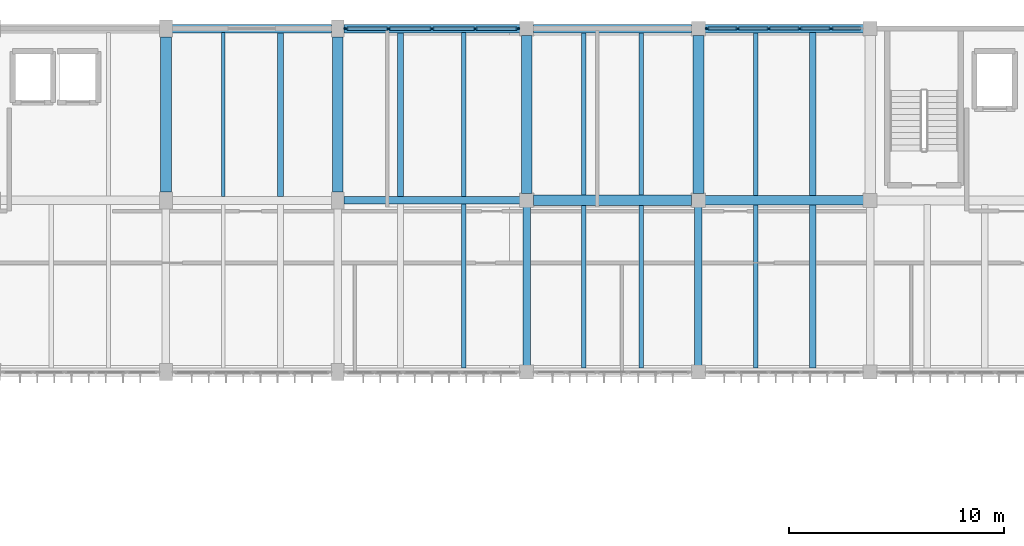
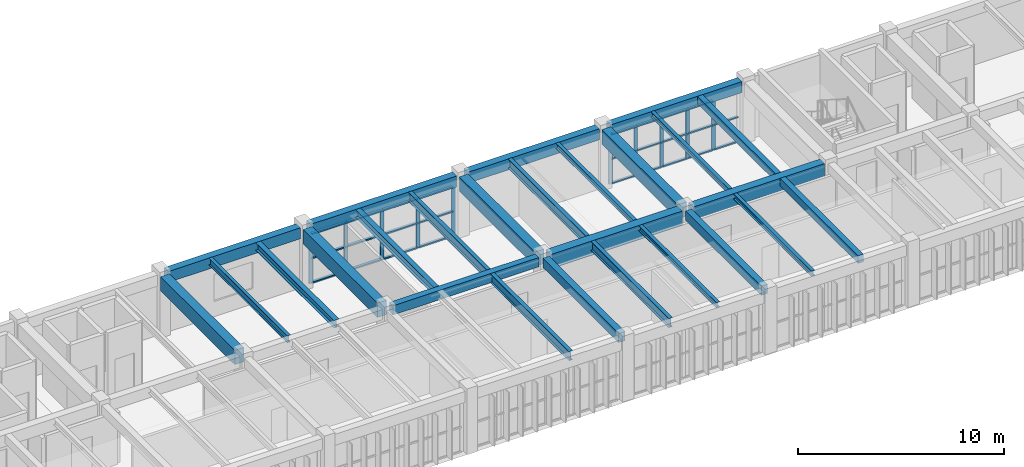
# One storey, part 7 of 31: 36 members, 26 beams, 2 elements without a shape of their own.
"""IFC4 building model written with IfcOpenShell, lengths in metres."""

from ifc_helpers import new_model, si_unit, direction, frame, origin, origin_2d, place, context, subcontext, project, spatial, rectangle, i_section, extrude, material, material_profile, profile_set, type_object, element, aggregate, save


model = new_model("IFC4")

# Units and contexts
model_context = context("Model", 3, precision=1e-05, world=origin(), true_north=direction((0.0, 1.0)))
body_context = subcontext(model_context, "Body", "Model", "MODEL_VIEW")
ifc_project = project(units=[si_unit("LENGTHUNIT", "METRE"), si_unit("AREAUNIT", "SQUARE_METRE"), si_unit("VOLUMEUNIT", "CUBIC_METRE"), si_unit("PLANEANGLEUNIT", "RADIAN"), si_unit("MASSUNIT", "GRAM", prefix="KILO")], contexts=[model_context])

# Site, building, storey
site_placement = place(None, origin())
site = spatial("IfcSite", under=ifc_project, at=site_placement, CompositionType="ELEMENT")
building_placement = place(site_placement, origin())
building = spatial("IfcBuilding", under=site, at=building_placement, Name="Tlaxcora Railside Police Headquarters", CompositionType="ELEMENT")
storey_placement = place(building_placement, frame((0.0, 0.0, 18.0)))
storey = spatial("IfcBuildingStorey", under=building, at=storey_placement, Name="L04", CompositionType="ELEMENT", Elevation=18.0)

# Curtain wall, members
ifc_material_1 = material(Name="Thermally broken low-E insulated glazing", Category="glass")
curtain_wall_type_1 = type_object("IfcCurtainWallType", Name="Unitised Curtain Wall Assembly CW-15", PredefinedType="NOTDEFINED", material=ifc_material_1)
curtain_wall_1_placement = place(storey_placement, origin())
curtain_wall_1 = element("IfcCurtainWall", 1, at=curtain_wall_1_placement, inside=storey, type_object=curtain_wall_type_1, Name="V5 L04 curtain wall 98", PredefinedType="NOTDEFINED")
ifc_material_2 = material(Name="Anodised aluminium framing", Category="aluminium")
ifc_material_profile_1 = material_profile(ifc_material_2, rectangle(XDim=0.074951171875, YDim=0.199951171875, at=origin_2d()), Name="AL75X200")
ifc_profile_set_1 = profile_set([ifc_material_profile_1], Name="Anodised aluminium framing")
member_type_1 = type_object("IfcMemberType", Name="Curtain Wall Mullion CW-58", PredefinedType="MULLION", material=ifc_profile_set_1)
member_1_placement = place(storey_placement, frame((68.175048828125, 92.800048828125, 0.0), z_axis=(0.0, 0.0, 1.0), x_axis=(0.0, -1.0, 0.0)))
member_1 = element("IfcMember", 2, at=member_1_placement, type_object=member_type_1, Name="CW mullion 2", PredefinedType="MULLION", context=body_context, shape_type="SweptSolid", body=[
    extrude(rectangle(XDim=0.074951171875, YDim=0.199951171875, at=origin_2d()), origin(), (0.0, 0.0, 1.0), 2.969970703125),
])
member_2_placement = place(storey_placement, frame((66.72509765625, 92.800048828125, 0.0), z_axis=(0.0, 0.0, 1.0), x_axis=(0.0, -1.0, 0.0)))
member_2 = element("IfcMember", 3, at=member_2_placement, type_object=member_type_1, Name="CW mullion 3", PredefinedType="MULLION", context=body_context, shape_type="SweptSolid", body=[
    extrude(rectangle(XDim=0.074951171875, YDim=0.199951171875, at=origin_2d()), origin(), (0.0, 0.0, 1.0), 2.969970703125),
])
member_3_placement = place(storey_placement, frame((65.27490234375, 92.800048828125, 0.0), z_axis=(0.0, 0.0, 1.0), x_axis=(0.0, -1.0, 0.0)))
member_3 = element("IfcMember", 4, at=member_3_placement, type_object=member_type_1, Name="CW mullion 4", PredefinedType="MULLION", context=body_context, shape_type="SweptSolid", body=[
    extrude(rectangle(XDim=0.074951171875, YDim=0.199951171875, at=origin_2d()), origin(), (0.0, 0.0, 1.0), 2.969970703125),
])
member_4_placement = place(storey_placement, frame((63.824951171875, 92.800048828125, 0.0), z_axis=(0.0, 0.0, 1.0), x_axis=(0.0, -1.0, 0.0)))
member_4 = element("IfcMember", 5, at=member_4_placement, type_object=member_type_1, Name="CW mullion 5", PredefinedType="MULLION", context=body_context, shape_type="SweptSolid", body=[
    extrude(rectangle(XDim=0.074951171875, YDim=0.199951171875, at=origin_2d()), origin(), (0.0, 0.0, 1.0), 2.969970703125),
])
member_5_placement = place(storey_placement, frame((62.41259765625, 92.800048828125, 0.0), z_axis=(0.0, 0.0, 1.0), x_axis=(0.0, -1.0, 0.0)))
member_5 = element("IfcMember", 6, at=member_5_placement, type_object=member_type_1, Name="CW mullion 6", PredefinedType="MULLION", context=body_context, shape_type="SweptSolid", body=[
    extrude(rectangle(XDim=0.074951171875, YDim=0.199951171875, at=origin_2d()), origin(), (0.0, 0.0, 1.0), 2.969970703125),
])

curtain_wall_type_2 = type_object("IfcCurtainWallType", Name="Unitised Curtain Wall Assembly CW-83", PredefinedType="NOTDEFINED", material=ifc_material_1)
curtain_wall_2_placement = place(storey_placement, origin())
curtain_wall_2 = element("IfcCurtainWall", 7, at=curtain_wall_2_placement, inside=storey, type_object=curtain_wall_type_2, Name="V5 L04 curtain wall 99", PredefinedType="NOTDEFINED")
ifc_material_profile_2 = material_profile(ifc_material_2, rectangle(XDim=0.080078125, YDim=0.2099609375, at=origin_2d()), Name="AL80X210")
ifc_profile_set_2 = profile_set([ifc_material_profile_2], Name="Anodised aluminium framing")
member_type_2 = type_object("IfcMemberType", Name="Curtain Wall Mullion CW-76", PredefinedType="MULLION", material=ifc_profile_set_2)
member_6_placement = place(storey_placement, frame((53.5849609375, 92.800048828125, 0.0), z_axis=(0.0, 0.0, 1.0), x_axis=(0.0, -1.0, 0.0)))
member_6 = element("IfcMember", 8, at=member_6_placement, type_object=member_type_2, Name="CW mullion 1", PredefinedType="MULLION", context=body_context, shape_type="SweptSolid", body=[
    extrude(rectangle(XDim=0.080078125, YDim=0.2099609375, at=origin_2d()), origin(), (0.0, 0.0, 1.0), 2.969970703125),
])
member_7_placement = place(storey_placement, frame((51.606201171875, 92.800048828125, 0.0), z_axis=(0.0, 0.0, 1.0), x_axis=(0.0, -1.0, 0.0)))
member_7 = element("IfcMember", 9, at=member_7_placement, type_object=member_type_2, Name="CW mullion 2", PredefinedType="MULLION", context=body_context, shape_type="SweptSolid", body=[
    extrude(rectangle(XDim=0.080078125, YDim=0.2099609375, at=origin_2d()), origin(), (0.0, 0.0, 1.0), 2.969970703125),
])
member_8_placement = place(storey_placement, frame((49.58740234375, 92.800048828125, 0.0), z_axis=(0.0, 0.0, 1.0), x_axis=(0.0, -1.0, 0.0)))
member_8 = element("IfcMember", 10, at=member_8_placement, type_object=member_type_2, Name="CW mullion 3", PredefinedType="MULLION", context=body_context, shape_type="SweptSolid", body=[
    extrude(rectangle(XDim=0.080078125, YDim=0.2099609375, at=origin_2d()), origin(), (0.0, 0.0, 1.0), 2.969970703125),
])
member_9_placement = place(storey_placement, frame((47.56884765625, 92.800048828125, 0.0), z_axis=(0.0, 0.0, 1.0), x_axis=(0.0, -1.0, 0.0)))
member_9 = element("IfcMember", 11, at=member_9_placement, type_object=member_type_2, Name="CW mullion 4", PredefinedType="MULLION", context=body_context, shape_type="SweptSolid", body=[
    extrude(rectangle(XDim=0.080078125, YDim=0.2099609375, at=origin_2d()), origin(), (0.0, 0.0, 1.0), 2.969970703125),
])
member_10_placement = place(storey_placement, frame((45.590087890625, 92.800048828125, 0.0), z_axis=(0.0, 0.0, 1.0), x_axis=(0.0, -1.0, 0.0)))
member_10 = element("IfcMember", 12, at=member_10_placement, type_object=member_type_2, Name="CW mullion 5", PredefinedType="MULLION", context=body_context, shape_type="SweptSolid", body=[
    extrude(rectangle(XDim=0.080078125, YDim=0.2099609375, at=origin_2d()), origin(), (0.0, 0.0, 1.0), 2.969970703125),
])

# Member
ifc_material_profile_3 = material_profile(ifc_material_2, rectangle(XDim=0.14990234375, YDim=0.074951171875, at=origin_2d()), Name="AL75X150")
ifc_profile_set_3 = profile_set([ifc_material_profile_3], Name="Anodised aluminium framing")
member_type_3 = type_object("IfcMemberType", Name="Curtain Wall Transom CW-28", PredefinedType="USERDEFINED", material=ifc_profile_set_3)
member_11_placement = place(storey_placement, frame((69.550048828125, 92.800048828125, 0.03759765625), z_axis=(-1.0, 0.0, 0.0), x_axis=(0.0, -1.0, 0.0)))
member_11 = element("IfcMember", 13, at=member_11_placement, type_object=member_type_3, Name="CW transom 1.1", ObjectType="TRANSOM", PredefinedType="USERDEFINED", context=body_context, shape_type="SweptSolid", body=[
    extrude(rectangle(XDim=0.14990234375, YDim=0.074951171875, at=origin_2d()), origin(), (0.0, 0.0, 1.0), 1.337646484375),
])

member_12_placement = place(storey_placement, frame((69.550048828125, 92.800048828125, 1.4951171875), z_axis=(-1.0, 0.0, 0.0), x_axis=(0.0, -1.0, 0.0)))
member_12 = element("IfcMember", 14, at=member_12_placement, type_object=member_type_3, Name="CW transom 1.2", ObjectType="TRANSOM", PredefinedType="USERDEFINED", context=body_context, shape_type="SweptSolid", body=[
    extrude(rectangle(XDim=0.14990234375, YDim=0.074951171875, at=origin_2d()), origin(), (0.0, 0.0, 1.0), 1.337646484375),
])

member_13_placement = place(storey_placement, frame((68.137451171875, 92.800048828125, 0.03759765625), z_axis=(-1.0, 0.0, 0.0), x_axis=(0.0, -1.0, 0.0)))
member_13 = element("IfcMember", 15, at=member_13_placement, type_object=member_type_3, Name="CW transom 2.1", ObjectType="TRANSOM", PredefinedType="USERDEFINED", context=body_context, shape_type="SweptSolid", body=[
    extrude(rectangle(XDim=0.14990234375, YDim=0.074951171875, at=origin_2d()), origin(), (0.0, 0.0, 1.0), 1.375),
])

member_14_placement = place(storey_placement, frame((68.137451171875, 92.800048828125, 1.4951171875), z_axis=(-1.0, 0.0, 0.0), x_axis=(0.0, -1.0, 0.0)))
member_14 = element("IfcMember", 16, at=member_14_placement, type_object=member_type_3, Name="CW transom 2.2", ObjectType="TRANSOM", PredefinedType="USERDEFINED", context=body_context, shape_type="SweptSolid", body=[
    extrude(rectangle(XDim=0.14990234375, YDim=0.074951171875, at=origin_2d()), origin(), (0.0, 0.0, 1.0), 1.375),
])

member_15_placement = place(storey_placement, frame((68.137451171875, 92.800048828125, 2.9326171875), z_axis=(-1.0, 0.0, 0.0), x_axis=(0.0, -1.0, 0.0)))
member_15 = element("IfcMember", 17, at=member_15_placement, type_object=member_type_3, Name="CW transom 2.3", ObjectType="TRANSOM", PredefinedType="USERDEFINED", context=body_context, shape_type="SweptSolid", body=[
    extrude(rectangle(XDim=0.14990234375, YDim=0.074951171875, at=origin_2d()), origin(), (0.0, 0.0, 1.0), 1.375),
])

member_16_placement = place(storey_placement, frame((66.6875, 92.800048828125, 0.03759765625), z_axis=(-1.0, 0.0, 0.0), x_axis=(0.0, -1.0, 0.0)))
member_16 = element("IfcMember", 18, at=member_16_placement, type_object=member_type_3, Name="CW transom 3.1", ObjectType="TRANSOM", PredefinedType="USERDEFINED", context=body_context, shape_type="SweptSolid", body=[
    extrude(rectangle(XDim=0.14990234375, YDim=0.074951171875, at=origin_2d()), origin(), (0.0, 0.0, 1.0), 1.375),
])

member_17_placement = place(storey_placement, frame((66.6875, 92.800048828125, 1.4951171875), z_axis=(-1.0, 0.0, 0.0), x_axis=(0.0, -1.0, 0.0)))
member_17 = element("IfcMember", 19, at=member_17_placement, type_object=member_type_3, Name="CW transom 3.2", ObjectType="TRANSOM", PredefinedType="USERDEFINED", context=body_context, shape_type="SweptSolid", body=[
    extrude(rectangle(XDim=0.14990234375, YDim=0.074951171875, at=origin_2d()), origin(), (0.0, 0.0, 1.0), 1.375),
])

member_18_placement = place(storey_placement, frame((66.6875, 92.800048828125, 2.9326171875), z_axis=(-1.0, 0.0, 0.0), x_axis=(0.0, -1.0, 0.0)))
member_18 = element("IfcMember", 20, at=member_18_placement, type_object=member_type_3, Name="CW transom 3.3", ObjectType="TRANSOM", PredefinedType="USERDEFINED", context=body_context, shape_type="SweptSolid", body=[
    extrude(rectangle(XDim=0.14990234375, YDim=0.074951171875, at=origin_2d()), origin(), (0.0, 0.0, 1.0), 1.375),
])

member_19_placement = place(storey_placement, frame((65.237548828125, 92.800048828125, 0.03759765625), z_axis=(-1.0, 0.0, 0.0), x_axis=(0.0, -1.0, 0.0)))
member_19 = element("IfcMember", 21, at=member_19_placement, type_object=member_type_3, Name="CW transom 4.1", ObjectType="TRANSOM", PredefinedType="USERDEFINED", context=body_context, shape_type="SweptSolid", body=[
    extrude(rectangle(XDim=0.14990234375, YDim=0.074951171875, at=origin_2d()), origin(), (0.0, 0.0, 1.0), 1.375),
])

member_20_placement = place(storey_placement, frame((65.237548828125, 92.800048828125, 1.4951171875), z_axis=(-1.0, 0.0, 0.0), x_axis=(0.0, -1.0, 0.0)))
member_20 = element("IfcMember", 22, at=member_20_placement, type_object=member_type_3, Name="CW transom 4.2", ObjectType="TRANSOM", PredefinedType="USERDEFINED", context=body_context, shape_type="SweptSolid", body=[
    extrude(rectangle(XDim=0.14990234375, YDim=0.074951171875, at=origin_2d()), origin(), (0.0, 0.0, 1.0), 1.375),
])

member_21_placement = place(storey_placement, frame((65.237548828125, 92.800048828125, 2.9326171875), z_axis=(-1.0, 0.0, 0.0), x_axis=(0.0, -1.0, 0.0)))
member_21 = element("IfcMember", 23, at=member_21_placement, type_object=member_type_3, Name="CW transom 4.3", ObjectType="TRANSOM", PredefinedType="USERDEFINED", context=body_context, shape_type="SweptSolid", body=[
    extrude(rectangle(XDim=0.14990234375, YDim=0.074951171875, at=origin_2d()), origin(), (0.0, 0.0, 1.0), 1.375),
])

member_22_placement = place(storey_placement, frame((63.78759765625, 92.800048828125, 0.03759765625), z_axis=(-1.0, 0.0, 0.0), x_axis=(0.0, -1.0, 0.0)))
member_22 = element("IfcMember", 24, at=member_22_placement, type_object=member_type_3, Name="CW transom 5.1", ObjectType="TRANSOM", PredefinedType="USERDEFINED", context=body_context, shape_type="SweptSolid", body=[
    extrude(rectangle(XDim=0.14990234375, YDim=0.074951171875, at=origin_2d()), origin(), (0.0, 0.0, 1.0), 1.337646484375),
])

member_23_placement = place(storey_placement, frame((63.78759765625, 92.800048828125, 1.4951171875), z_axis=(-1.0, 0.0, 0.0), x_axis=(0.0, -1.0, 0.0)))
member_23 = element("IfcMember", 25, at=member_23_placement, type_object=member_type_3, Name="CW transom 5.2", ObjectType="TRANSOM", PredefinedType="USERDEFINED", context=body_context, shape_type="SweptSolid", body=[
    extrude(rectangle(XDim=0.14990234375, YDim=0.074951171875, at=origin_2d()), origin(), (0.0, 0.0, 1.0), 1.337646484375),
])

member_24_placement = place(storey_placement, frame((63.78759765625, 92.800048828125, 2.9326171875), z_axis=(-1.0, 0.0, 0.0), x_axis=(0.0, -1.0, 0.0)))
member_24 = element("IfcMember", 26, at=member_24_placement, type_object=member_type_3, Name="CW transom 5.3", ObjectType="TRANSOM", PredefinedType="USERDEFINED", context=body_context, shape_type="SweptSolid", body=[
    extrude(rectangle(XDim=0.14990234375, YDim=0.074951171875, at=origin_2d()), origin(), (0.0, 0.0, 1.0), 1.337646484375),
])

aggregate(curtain_wall_1, [member_1, member_2, member_3, member_4, member_5, member_11, member_12, member_13, member_14, member_15, member_16, member_17, member_18, member_19, member_20, member_21, member_22, member_23, member_24])

ifc_material_profile_4 = material_profile(ifc_material_2, rectangle(XDim=0.159912109375, YDim=0.080078125, at=origin_2d()), Name="AL80X160")
ifc_profile_set_4 = profile_set([ifc_material_profile_4], Name="Anodised aluminium framing")
member_type_4 = type_object("IfcMemberType", Name="Curtain Wall Transom CW-82", PredefinedType="USERDEFINED", material=ifc_profile_set_4)
member_25_placement = place(storey_placement, frame((53.544921875, 92.800048828125, 0.0400390625), z_axis=(-1.0, 0.0, 0.0), x_axis=(0.0, -1.0, 0.0)))
member_25 = element("IfcMember", 27, at=member_25_placement, type_object=member_type_4, Name="CW transom 1.1", ObjectType="TRANSOM", PredefinedType="USERDEFINED", context=body_context, shape_type="SweptSolid", body=[
    extrude(rectangle(XDim=0.159912109375, YDim=0.080078125, at=origin_2d()), origin(), (0.0, 0.0, 1.0), 1.898681640625),
])

member_26_placement = place(storey_placement, frame((53.544921875, 92.800048828125, 1.4951171875), z_axis=(-1.0, 0.0, 0.0), x_axis=(0.0, -1.0, 0.0)))
member_26 = element("IfcMember", 28, at=member_26_placement, type_object=member_type_4, Name="CW transom 1.2", ObjectType="TRANSOM", PredefinedType="USERDEFINED", context=body_context, shape_type="SweptSolid", body=[
    extrude(rectangle(XDim=0.159912109375, YDim=0.080078125, at=origin_2d()), origin(), (0.0, 0.0, 1.0), 1.898681640625),
])

member_27_placement = place(storey_placement, frame((53.544921875, 92.800048828125, 2.929931640625), z_axis=(-1.0, 0.0, 0.0), x_axis=(0.0, -1.0, 0.0)))
member_27 = element("IfcMember", 29, at=member_27_placement, type_object=member_type_4, Name="CW transom 1.3", ObjectType="TRANSOM", PredefinedType="USERDEFINED", context=body_context, shape_type="SweptSolid", body=[
    extrude(rectangle(XDim=0.159912109375, YDim=0.080078125, at=origin_2d()), origin(), (0.0, 0.0, 1.0), 1.898681640625),
])

member_28_placement = place(storey_placement, frame((51.566162109375, 92.800048828125, 0.0400390625), z_axis=(-1.0, 0.0, 0.0), x_axis=(0.0, -1.0, 0.0)))
member_28 = element("IfcMember", 30, at=member_28_placement, type_object=member_type_4, Name="CW transom 2.1", ObjectType="TRANSOM", PredefinedType="USERDEFINED", context=body_context, shape_type="SweptSolid", body=[
    extrude(rectangle(XDim=0.159912109375, YDim=0.080078125, at=origin_2d()), origin(), (0.0, 0.0, 1.0), 1.938720703125),
])

member_29_placement = place(storey_placement, frame((51.566162109375, 92.800048828125, 1.4951171875), z_axis=(-1.0, 0.0, 0.0), x_axis=(0.0, -1.0, 0.0)))
member_29 = element("IfcMember", 31, at=member_29_placement, type_object=member_type_4, Name="CW transom 2.2", ObjectType="TRANSOM", PredefinedType="USERDEFINED", context=body_context, shape_type="SweptSolid", body=[
    extrude(rectangle(XDim=0.159912109375, YDim=0.080078125, at=origin_2d()), origin(), (0.0, 0.0, 1.0), 1.938720703125),
])

member_30_placement = place(storey_placement, frame((51.566162109375, 92.800048828125, 2.929931640625), z_axis=(-1.0, 0.0, 0.0), x_axis=(0.0, -1.0, 0.0)))
member_30 = element("IfcMember", 32, at=member_30_placement, type_object=member_type_4, Name="CW transom 2.3", ObjectType="TRANSOM", PredefinedType="USERDEFINED", context=body_context, shape_type="SweptSolid", body=[
    extrude(rectangle(XDim=0.159912109375, YDim=0.080078125, at=origin_2d()), origin(), (0.0, 0.0, 1.0), 1.938720703125),
])

member_31_placement = place(storey_placement, frame((49.547607421875, 92.800048828125, 0.0400390625), z_axis=(-1.0, 0.0, 0.0), x_axis=(0.0, -1.0, 0.0)))
member_31 = element("IfcMember", 33, at=member_31_placement, type_object=member_type_4, Name="CW transom 3.1", ObjectType="TRANSOM", PredefinedType="USERDEFINED", context=body_context, shape_type="SweptSolid", body=[
    extrude(rectangle(XDim=0.159912109375, YDim=0.080078125, at=origin_2d()), origin(), (0.0, 0.0, 1.0), 1.93896484375),
])

member_32_placement = place(storey_placement, frame((49.547607421875, 92.800048828125, 1.4951171875), z_axis=(-1.0, 0.0, 0.0), x_axis=(0.0, -1.0, 0.0)))
member_32 = element("IfcMember", 34, at=member_32_placement, type_object=member_type_4, Name="CW transom 3.2", ObjectType="TRANSOM", PredefinedType="USERDEFINED", context=body_context, shape_type="SweptSolid", body=[
    extrude(rectangle(XDim=0.159912109375, YDim=0.080078125, at=origin_2d()), origin(), (0.0, 0.0, 1.0), 1.93896484375),
])

member_33_placement = place(storey_placement, frame((49.547607421875, 92.800048828125, 2.929931640625), z_axis=(-1.0, 0.0, 0.0), x_axis=(0.0, -1.0, 0.0)))
member_33 = element("IfcMember", 35, at=member_33_placement, type_object=member_type_4, Name="CW transom 3.3", ObjectType="TRANSOM", PredefinedType="USERDEFINED", context=body_context, shape_type="SweptSolid", body=[
    extrude(rectangle(XDim=0.159912109375, YDim=0.080078125, at=origin_2d()), origin(), (0.0, 0.0, 1.0), 1.93896484375),
])

member_34_placement = place(storey_placement, frame((47.52880859375, 92.800048828125, 0.0400390625), z_axis=(-1.0, 0.0, 0.0), x_axis=(0.0, -1.0, 0.0)))
member_34 = element("IfcMember", 36, at=member_34_placement, type_object=member_type_4, Name="CW transom 4.1", ObjectType="TRANSOM", PredefinedType="USERDEFINED", context=body_context, shape_type="SweptSolid", body=[
    extrude(rectangle(XDim=0.159912109375, YDim=0.080078125, at=origin_2d()), origin(), (0.0, 0.0, 1.0), 1.89892578125),
])

member_35_placement = place(storey_placement, frame((47.52880859375, 92.800048828125, 1.4951171875), z_axis=(-1.0, 0.0, 0.0), x_axis=(0.0, -1.0, 0.0)))
member_35 = element("IfcMember", 37, at=member_35_placement, type_object=member_type_4, Name="CW transom 4.2", ObjectType="TRANSOM", PredefinedType="USERDEFINED", context=body_context, shape_type="SweptSolid", body=[
    extrude(rectangle(XDim=0.159912109375, YDim=0.080078125, at=origin_2d()), origin(), (0.0, 0.0, 1.0), 1.89892578125),
])

member_36_placement = place(storey_placement, frame((47.52880859375, 92.800048828125, 2.929931640625), z_axis=(-1.0, 0.0, 0.0), x_axis=(0.0, -1.0, 0.0)))
member_36 = element("IfcMember", 38, at=member_36_placement, type_object=member_type_4, Name="CW transom 4.3", ObjectType="TRANSOM", PredefinedType="USERDEFINED", context=body_context, shape_type="SweptSolid", body=[
    extrude(rectangle(XDim=0.159912109375, YDim=0.080078125, at=origin_2d()), origin(), (0.0, 0.0, 1.0), 1.89892578125),
])

aggregate(curtain_wall_2, [member_6, member_7, member_8, member_9, member_10, member_25, member_26, member_27, member_28, member_29, member_30, member_31, member_32, member_33, member_34, member_35, member_36])

# Beams
ifc_material_3 = material(Name="Concrete C40/50", Category="concrete")
ifc_material_profile_5 = material_profile(ifc_material_3, rectangle(XDim=0.39990234375, YDim=0.64990234375, at=origin_2d()), Name="RC400X650")
ifc_profile_set_5 = profile_set([ifc_material_profile_5], Name="Concrete C40/50")
beam_type_1 = type_object("IfcBeamType", Name="Perimeter Spandrel Beam BM-46", PredefinedType="SPANDREL", material=ifc_profile_set_5)
beam_1_placement = place(storey_placement, frame((37.489990234375, 92.800048828125, 3.31494140625), z_axis=(1.0, 0.0, 0.0), x_axis=(0.0, 1.0, 0.0)))
element("IfcBeam", 39, at=beam_1_placement, inside=storey, type_object=beam_type_1, Name="V5 L04 X-girder Y=92.8", PredefinedType="SPANDREL", context=body_context, shape_type="SweptSolid", body=[
    extrude(rectangle(XDim=0.39990234375, YDim=0.64990234375, at=origin_2d()), origin(), (0.0, 0.0, 1.0), 7.419921875),
])
beam_2_placement = place(storey_placement, frame((45.489990234375, 92.800048828125, 3.31494140625), z_axis=(1.0, 0.0, 0.0), x_axis=(0.0, 1.0, 0.0)))
element("IfcBeam", 40, at=beam_2_placement, inside=storey, type_object=beam_type_1, Name="V5 L04 X-girder Y=92.8", PredefinedType="SPANDREL", context=body_context, shape_type="SweptSolid", body=[
    extrude(rectangle(XDim=0.39990234375, YDim=0.64990234375, at=origin_2d()), origin(), (0.0, 0.0, 1.0), 8.195068359375),
])
for number, where, z_axis, x_axis, name in (
    (41, (54.31494140625, 92.800048828125, 3.31494140625), (1.0, 0.0, 0.0), (0.0, 1.0, 0.0), "V5 L04 X-girder Y=92.8"),
    (42, (62.31494140625, 92.800048828125, 3.31494140625), (1.0, 0.0, 0.0), (0.0, 1.0, 0.0), "V5 L04 X-girder Y=92.8"),
):
    element("IfcBeam", number, at=place(storey_placement, frame(where, z_axis=z_axis, x_axis=x_axis)), inside=storey, type_object=beam_type_1, Name=name, PredefinedType="SPANDREL", context=body_context, shape_type="SweptSolid", body=[
        extrude(rectangle(XDim=0.39990234375, YDim=0.64990234375, at=origin_2d()), origin(), (0.0, 0.0, 1.0), 7.3701171875),
    ])
ifc_material_profile_6 = material_profile(ifc_material_3, rectangle(XDim=0.35009765625, YDim=0.550048828125, at=origin_2d()), Name="RC350X550")
ifc_profile_set_6 = profile_set([ifc_material_profile_6], Name="Concrete C40/50")
beam_type_2 = type_object("IfcBeamType", Name="Primary Frame Girder BM-39", PredefinedType="BEAM", material=ifc_profile_set_6)
beam_3_placement = place(storey_placement, frame((45.489990234375, 84.800048828125, 3.364990234375), z_axis=(1.0, 0.0, 0.0), x_axis=(0.0, 1.0, 0.0)))
element("IfcBeam", 43, at=beam_3_placement, inside=storey, type_object=beam_type_2, Name="V5 L04 X-girder Y=84.8", PredefinedType="BEAM", context=body_context, shape_type="SweptSolid", body=[
    extrude(rectangle(XDim=0.35009765625, YDim=0.550048828125, at=origin_2d()), origin(), (0.0, 0.0, 1.0), 8.195068359375),
])
for number, where, z_axis, x_axis, name in (
    (44, (54.0, 77.114990234375, 3.364990234375), (0.0, 1.0, 0.0), (-1.0, 0.0, 0.0), "V5 L04 Y-girder X=54.0"),
    (45, (62.0, 77.114990234375, 3.364990234375), (0.0, 1.0, 0.0), (-1.0, 0.0, 0.0), "V5 L04 Y-girder X=62.0"),
):
    element("IfcBeam", number, at=place(storey_placement, frame(where, z_axis=z_axis, x_axis=x_axis)), inside=storey, type_object=beam_type_2, Name=name, PredefinedType="BEAM", context=body_context, shape_type="SweptSolid", body=[
        extrude(rectangle(XDim=0.35009765625, YDim=0.550048828125, at=origin_2d()), origin(), (0.0, 0.0, 1.0), 7.3701171875),
    ])
ifc_material_profile_7 = material_profile(ifc_material_3, rectangle(XDim=0.5, YDim=0.85009765625, at=origin_2d()), Name="RC500X850")
ifc_profile_set_7 = profile_set([ifc_material_profile_7], Name="Concrete C40/50")
beam_type_3 = type_object("IfcBeamType", Name="Primary Frame Girder BM-64", PredefinedType="BEAM", material=ifc_profile_set_7)
beam_4_placement = place(storey_placement, frame((54.31494140625, 84.800048828125, 3.215087890625), z_axis=(1.0, 0.0, 0.0), x_axis=(0.0, 1.0, 0.0)))
element("IfcBeam", 46, at=beam_4_placement, inside=storey, type_object=beam_type_3, Name="V5 L04 X-girder Y=84.8", PredefinedType="BEAM", context=body_context, shape_type="SweptSolid", body=[
    extrude(rectangle(XDim=0.5, YDim=0.85009765625, at=origin_2d()), origin(), (0.0, 0.0, 1.0), 7.3701171875),
])
for number, where, z_axis, x_axis, name in (
    (47, (37.199951171875, 85.18994140625, 3.215087890625), (0.0, 1.0, 0.0), (-1.0, 0.0, 0.0), "V5 L04 Y-girder X=37.2"),
    (48, (45.199951171875, 85.18994140625, 3.215087890625), (0.0, 1.0, 0.0), (-1.0, 0.0, 0.0), "V5 L04 Y-girder X=45.2"),
):
    element("IfcBeam", number, at=place(storey_placement, frame(where, z_axis=z_axis, x_axis=x_axis)), inside=storey, type_object=beam_type_3, Name=name, PredefinedType="BEAM", context=body_context, shape_type="SweptSolid", body=[
        extrude(rectangle(XDim=0.5, YDim=0.85009765625, at=origin_2d()), origin(), (0.0, 0.0, 1.0), 7.219970703125),
    ])
for number, where, z_axis, x_axis, name in (
    (49, (54.0, 85.114990234375, 3.215087890625), (0.0, 1.0, 0.0), (-1.0, 0.0, 0.0), "V5 L04 Y-girder X=54.0"),
    (50, (62.0, 85.114990234375, 3.215087890625), (0.0, 1.0, 0.0), (-1.0, 0.0, 0.0), "V5 L04 Y-girder X=62.0"),
):
    element("IfcBeam", number, at=place(storey_placement, frame(where, z_axis=z_axis, x_axis=x_axis)), inside=storey, type_object=beam_type_3, Name=name, PredefinedType="BEAM", context=body_context, shape_type="SweptSolid", body=[
        extrude(rectangle(XDim=0.5, YDim=0.85009765625, at=origin_2d()), origin(), (0.0, 0.0, 1.0), 7.3701171875),
    ])
ifc_material_profile_8 = material_profile(ifc_material_3, rectangle(XDim=0.449951171875, YDim=0.75, at=origin_2d()), Name="RC450X750")
ifc_profile_set_8 = profile_set([ifc_material_profile_8], Name="Concrete C40/50")
beam_type_4 = type_object("IfcBeamType", Name="Primary Frame Girder BM-73", PredefinedType="BEAM", material=ifc_profile_set_8)
beam_5_placement = place(storey_placement, frame((62.31494140625, 84.800048828125, 3.264892578125), z_axis=(1.0, 0.0, 0.0), x_axis=(0.0, 1.0, 0.0)))
element("IfcBeam", 51, at=beam_5_placement, inside=storey, type_object=beam_type_4, Name="V5 L04 X-girder Y=84.8", PredefinedType="BEAM", context=body_context, shape_type="SweptSolid", body=[
    extrude(rectangle(XDim=0.449951171875, YDim=0.75, at=origin_2d()), origin(), (0.0, 0.0, 1.0), 7.3701171875),
])
ifc_material_4 = material(Name="Concrete C35/45", Category="concrete")
ifc_material_profile_9 = material_profile(ifc_material_4, rectangle(XDim=0.300048828125, YDim=0.449951171875, at=origin_2d()), Name="RC300X450")
ifc_profile_set_9 = profile_set([ifc_material_profile_9], Name="Concrete C35/45")
beam_type_5 = type_object("IfcBeamType", Name="Secondary Floor Joist BM-27", PredefinedType="JOIST", material=ifc_profile_set_9)
beam_6_placement = place(storey_placement, frame((67.333251953125, 76.991943359375, 3.4150390625), z_axis=(0.0, 1.0, 0.0), x_axis=(-1.0, 0.0, 0.0)))
element("IfcBeam", 52, at=beam_6_placement, inside=storey, type_object=beam_type_5, Name="V5 L04 floor joist X=67.33", PredefinedType="JOIST", context=body_context, shape_type="SweptSolid", body=[
    extrude(rectangle(XDim=0.300048828125, YDim=0.449951171875, at=origin_2d()), origin(), (0.0, 0.0, 1.0), 7.591064453125),
])
beam_7_placement = place(storey_placement, frame((67.333251953125, 85.01708984375, 3.4150390625), z_axis=(0.0, 1.0, 0.0), x_axis=(-1.0, 0.0, 0.0)))
element("IfcBeam", 53, at=beam_7_placement, inside=storey, type_object=beam_type_5, Name="V5 L04 floor joist X=67.33", PredefinedType="JOIST", context=body_context, shape_type="SweptSolid", body=[
    extrude(rectangle(XDim=0.300048828125, YDim=0.449951171875, at=origin_2d()), origin(), (0.0, 0.0, 1.0), 7.5908203125),
])
ifc_material_5 = material(Name="Steel ASTM A992 Grade 50", Category="steel")
ifc_material_profile_10 = material_profile(ifc_material_5, i_section(OverallWidth=0.280029296875, OverallDepth=0.4619140625, WebThickness=0.0107421875, FlangeThickness=0.017333984375, at=origin_2d()), Name="W18X76")
ifc_profile_set_10 = profile_set([ifc_material_profile_10], Name="Steel ASTM A992 Grade 50")
beam_type_6 = type_object("IfcBeamType", Name="Secondary Floor Joist BM-44", PredefinedType="JOIST", material=ifc_profile_set_10)
beam_8_placement = place(storey_placement, frame((42.533203125, 84.98193359375, 3.408935546875), z_axis=(0.0, 1.0, 0.0), x_axis=(-1.0, 0.0, 0.0)))
element("IfcBeam", 54, at=beam_8_placement, inside=storey, type_object=beam_type_6, Name="V5 L04 floor joist X=42.53", PredefinedType="JOIST", context=body_context, shape_type="SweptSolid", body=[
    extrude(i_section(OverallWidth=0.280029296875, OverallDepth=0.4619140625, WebThickness=0.0107421875, FlangeThickness=0.017333984375, at=origin_2d()), origin(), (0.0, 0.0, 1.0), 7.6259765625),
])
beam_9_placement = place(storey_placement, frame((48.13330078125, 84.967041015625, 3.408935546875), z_axis=(0.0, 1.0, 0.0), x_axis=(-1.0, 0.0, 0.0)))
element("IfcBeam", 55, at=beam_9_placement, inside=storey, type_object=beam_type_6, Name="V5 L04 floor joist X=48.13", PredefinedType="JOIST", context=body_context, shape_type="SweptSolid", body=[
    extrude(i_section(OverallWidth=0.280029296875, OverallDepth=0.4619140625, WebThickness=0.0107421875, FlangeThickness=0.017333984375, at=origin_2d()), origin(), (0.0, 0.0, 1.0), 7.640869140625),
])
ifc_material_profile_11 = material_profile(ifc_material_5, i_section(OverallWidth=0.180908203125, OverallDepth=0.4169921875, WebThickness=0.010009765625, FlangeThickness=0.018310546875, at=origin_2d()), Name="W16X57")
ifc_profile_set_11 = profile_set([ifc_material_profile_11], Name="Steel ASTM A992 Grade 50")
beam_type_7 = type_object("IfcBeamType", Name="Secondary Floor Joist BM-84", PredefinedType="JOIST", material=ifc_profile_set_11)
beam_10_placement = place(storey_placement, frame((39.86669921875, 84.98193359375, 3.431396484375), z_axis=(0.0, 1.0, 0.0), x_axis=(-1.0, 0.0, 0.0)))
element("IfcBeam", 56, at=beam_10_placement, inside=storey, type_object=beam_type_7, Name="V5 L04 floor joist X=39.87", PredefinedType="JOIST", context=body_context, shape_type="SweptSolid", body=[
    extrude(i_section(OverallWidth=0.180908203125, OverallDepth=0.4169921875, WebThickness=0.010009765625, FlangeThickness=0.018310546875, at=origin_2d()), origin(), (0.0, 0.0, 1.0), 7.6259765625),
])
ifc_material_profile_12 = material_profile(ifc_material_5, i_section(OverallWidth=0.202880859375, OverallDepth=0.302978515625, WebThickness=0.007568359375, FlangeThickness=0.01318359375, at=origin_2d()), Name="W12X40")
ifc_profile_set_12 = profile_set([ifc_material_profile_12], Name="Steel ASTM A992 Grade 50")
beam_type_8 = type_object("IfcBeamType", Name="Secondary Floor Joist BM-96", PredefinedType="JOIST", material=ifc_profile_set_12)
beam_11_placement = place(storey_placement, frame((59.333251953125, 76.991943359375, 3.488525390625), z_axis=(0.0, 1.0, 0.0), x_axis=(-1.0, 0.0, 0.0)))
element("IfcBeam", 57, at=beam_11_placement, inside=storey, type_object=beam_type_8, Name="V5 L04 floor joist X=59.33", PredefinedType="JOIST", context=body_context, shape_type="SweptSolid", body=[
    extrude(i_section(OverallWidth=0.202880859375, OverallDepth=0.302978515625, WebThickness=0.007568359375, FlangeThickness=0.01318359375, at=origin_2d()), origin(), (0.0, 0.0, 1.0), 7.566162109375),
])
beam_12_placement = place(storey_placement, frame((64.666748046875, 76.991943359375, 3.488525390625), z_axis=(0.0, 1.0, 0.0), x_axis=(-1.0, 0.0, 0.0)))
element("IfcBeam", 58, at=beam_12_placement, inside=storey, type_object=beam_type_8, Name="V5 L04 floor joist X=64.67", PredefinedType="JOIST", context=body_context, shape_type="SweptSolid", body=[
    extrude(i_section(OverallWidth=0.202880859375, OverallDepth=0.302978515625, WebThickness=0.007568359375, FlangeThickness=0.01318359375, at=origin_2d()), origin(), (0.0, 0.0, 1.0), 7.591064453125),
])
beam_13_placement = place(storey_placement, frame((59.333251953125, 85.0419921875, 3.488525390625), z_axis=(0.0, 1.0, 0.0), x_axis=(-1.0, 0.0, 0.0)))
element("IfcBeam", 59, at=beam_13_placement, inside=storey, type_object=beam_type_8, Name="V5 L04 floor joist X=59.33", PredefinedType="JOIST", context=body_context, shape_type="SweptSolid", body=[
    extrude(i_section(OverallWidth=0.202880859375, OverallDepth=0.302978515625, WebThickness=0.007568359375, FlangeThickness=0.01318359375, at=origin_2d()), origin(), (0.0, 0.0, 1.0), 7.56591796875),
])
beam_14_placement = place(storey_placement, frame((64.666748046875, 85.01708984375, 3.488525390625), z_axis=(0.0, 1.0, 0.0), x_axis=(-1.0, 0.0, 0.0)))
element("IfcBeam", 60, at=beam_14_placement, inside=storey, type_object=beam_type_8, Name="V5 L04 floor joist X=64.67", PredefinedType="JOIST", context=body_context, shape_type="SweptSolid", body=[
    extrude(i_section(OverallWidth=0.202880859375, OverallDepth=0.302978515625, WebThickness=0.007568359375, FlangeThickness=0.01318359375, at=origin_2d()), origin(), (0.0, 0.0, 1.0), 7.5908203125),
])
ifc_material_profile_13 = material_profile(ifc_material_5, i_section(OverallWidth=0.214111328125, OverallDepth=0.549072265625, WebThickness=0.0146484375, FlangeThickness=0.023681640625, at=origin_2d()), Name="W21X93")
ifc_profile_set_13 = profile_set([ifc_material_profile_13], Name="Steel ASTM A992 Grade 50")
beam_type_9 = type_object("IfcBeamType", Name="Secondary Floor Joist BM-97", PredefinedType="JOIST", material=ifc_profile_set_13)
beam_15_placement = place(storey_placement, frame((51.066650390625, 76.991943359375, 3.365478515625), z_axis=(0.0, 1.0, 0.0), x_axis=(-1.0, 0.0, 0.0)))
element("IfcBeam", 61, at=beam_15_placement, inside=storey, type_object=beam_type_9, Name="V5 L04 floor joist X=51.07", PredefinedType="JOIST", context=body_context, shape_type="SweptSolid", body=[
    extrude(i_section(OverallWidth=0.214111328125, OverallDepth=0.549072265625, WebThickness=0.0146484375, FlangeThickness=0.023681640625, at=origin_2d()), origin(), (0.0, 0.0, 1.0), 7.64111328125),
])
beam_16_placement = place(storey_placement, frame((56.666748046875, 76.991943359375, 3.365478515625), z_axis=(0.0, 1.0, 0.0), x_axis=(-1.0, 0.0, 0.0)))
element("IfcBeam", 62, at=beam_16_placement, inside=storey, type_object=beam_type_9, Name="V5 L04 floor joist X=56.67", PredefinedType="JOIST", context=body_context, shape_type="SweptSolid", body=[
    extrude(i_section(OverallWidth=0.214111328125, OverallDepth=0.549072265625, WebThickness=0.0146484375, FlangeThickness=0.023681640625, at=origin_2d()), origin(), (0.0, 0.0, 1.0), 7.566162109375),
])
beam_17_placement = place(storey_placement, frame((51.066650390625, 84.967041015625, 3.365478515625), z_axis=(0.0, 1.0, 0.0), x_axis=(-1.0, 0.0, 0.0)))
element("IfcBeam", 63, at=beam_17_placement, inside=storey, type_object=beam_type_9, Name="V5 L04 floor joist X=51.07", PredefinedType="JOIST", context=body_context, shape_type="SweptSolid", body=[
    extrude(i_section(OverallWidth=0.214111328125, OverallDepth=0.549072265625, WebThickness=0.0146484375, FlangeThickness=0.023681640625, at=origin_2d()), origin(), (0.0, 0.0, 1.0), 7.640869140625),
])
beam_18_placement = place(storey_placement, frame((56.666748046875, 85.0419921875, 3.365478515625), z_axis=(0.0, 1.0, 0.0), x_axis=(-1.0, 0.0, 0.0)))
element("IfcBeam", 64, at=beam_18_placement, inside=storey, type_object=beam_type_9, Name="V5 L04 floor joist X=56.67", PredefinedType="JOIST", context=body_context, shape_type="SweptSolid", body=[
    extrude(i_section(OverallWidth=0.214111328125, OverallDepth=0.549072265625, WebThickness=0.0146484375, FlangeThickness=0.023681640625, at=origin_2d()), origin(), (0.0, 0.0, 1.0), 7.56591796875),
])

save(model, "model.ifc")
